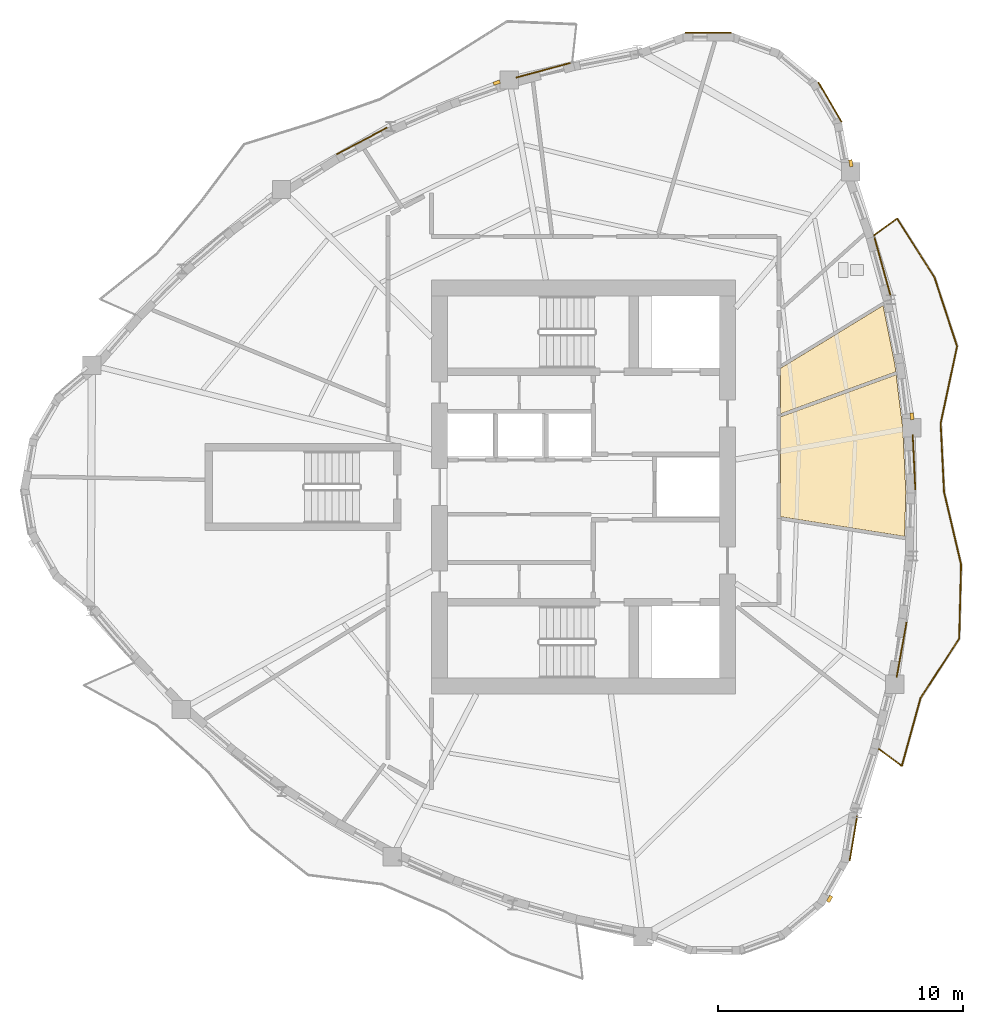
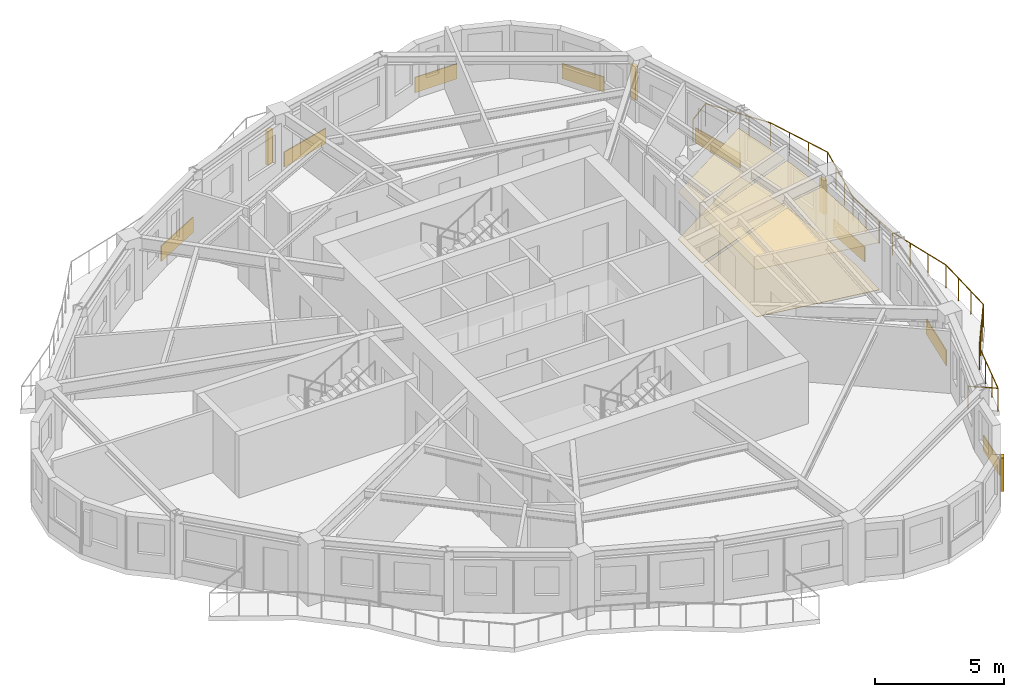
# One storey, part 11 of 12: 12 coverings, 4 shading devices, 1 railing.
"""IFC4 building model written with IfcOpenShell, lengths in metres."""

from ifc_helpers import new_model, si_unit, direction, frame, origin, origin_2d, place, context, subcontext, project, spatial, polyline, rectangle, circle, outline, extrude, source, transform, mapped, material, layer, layer_set, type_object, element, save


model = new_model("IFC4")

# Units and contexts
model_context = context("Model", 3, precision=1e-05, world=origin(), true_north=direction((0.0, 1.0)))
body_context = subcontext(model_context, "Body", "Model", "MODEL_VIEW")
ifc_project = project(units=[si_unit("LENGTHUNIT", "METRE"), si_unit("AREAUNIT", "SQUARE_METRE"), si_unit("VOLUMEUNIT", "CUBIC_METRE"), si_unit("PLANEANGLEUNIT", "RADIAN"), si_unit("MASSUNIT", "GRAM", prefix="KILO")], contexts=[model_context])

# Site, building, storey
site_placement = place(None, origin())
site = spatial("IfcSite", under=ifc_project, at=site_placement, CompositionType="ELEMENT")
building_placement = place(site_placement, origin())
building = spatial("IfcBuilding", under=site, at=building_placement, Name="Qafzar Sky-Pleat Residences", CompositionType="ELEMENT")
storey_placement = place(building_placement, frame((0.0, 0.0, 174.60009765625)))
storey = spatial("IfcBuildingStorey", under=building, at=storey_placement, Name="L52", CompositionType="ELEMENT", Elevation=174.60009765625)

# Coverings
ifc_material_1 = material(Name="Perforated acoustic gypsum board ceiling")
ifc_layer_1 = layer(ifc_material_1, 0.02001953125)
ifc_layer_set_1 = layer_set([ifc_layer_1], Name="Perforated acoustic gypsum board ceiling")
covering_type_1 = type_object("IfcCoveringType", Name="COV-CEIL-ACOUSTIC", PredefinedType="CEILING", material=ifc_layer_set_1)
covering_1_placement = place(storey_placement, frame((0.0, 0.0, 2.239990234375)))
element("IfcCovering", 1, at=covering_1_placement, inside=storey, type_object=covering_type_1, Name="L52 Co-Living Lounge Acoustic Ceiling", PredefinedType="CEILING", context=body_context, shape_type="SweptSolid", body=[
    extrude(outline(polyline([(43.374755859375, 28.387939453125), (43.498291015625, 25.801025390625), (43.44677734375, 23.98486328125), (38.389892578125, 24.786376953125), (38.389892578125, 28.863037109375), (43.103271484375, 30.578857421875), (43.374755859375, 28.387939453125)])), origin(), (0.0, 0.0, 1.0), 0.02001953125),
])
covering_2_placement = place(storey_placement, frame((0.0, 0.0, 2.239990234375)))
element("IfcCovering", 2, at=covering_2_placement, inside=storey, type_object=covering_type_1, Name="L52 Scholar Study Room Acoustic Ceiling", PredefinedType="CEILING", context=body_context, shape_type="SweptSolid", body=[
    extrude(outline(polyline([(43.054443359375, 30.973388671875), (43.088134765625, 30.701171875), (38.389892578125, 28.99072265625), (38.389892578125, 30.847412109375), (42.568359375, 33.4033203125), (43.054443359375, 30.973388671875)])), origin(), (0.0, 0.0, 1.0), 0.02001953125),
])
ifc_material_2 = material(Name="Honed porcelain and Riyadh stone tile flooring", Category="masonry")
ifc_layer_2 = layer(ifc_material_2, 0.02001953125)
ifc_layer_set_2 = layer_set([ifc_layer_2], Name="Honed porcelain and Riyadh stone tile flooring")
covering_type_2 = type_object("IfcCoveringType", Name="COV-FLR-PORCELAIN", PredefinedType="FLOORING", material=ifc_layer_set_2)
covering_3_placement = place(storey_placement, origin())
element("IfcCovering", 3, at=covering_3_placement, inside=storey, type_object=covering_type_2, Name="L52 Co-Living Lounge Honed Stone Flooring", PredefinedType="FLOORING", context=body_context, shape_type="SweptSolid", body=[
    extrude(outline(polyline([(43.374755859375, 28.387939453125), (43.498291015625, 25.801025390625), (43.44677734375, 23.98486328125), (38.389892578125, 24.786376953125), (38.389892578125, 28.863037109375), (43.103271484375, 30.578857421875), (43.374755859375, 28.387939453125)])), origin(), (0.0, 0.0, 1.0), 0.02001953125),
])
covering_4_placement = place(storey_placement, origin())
element("IfcCovering", 4, at=covering_4_placement, inside=storey, type_object=covering_type_2, Name="L52 Scholar Study Room Honed Stone Flooring", PredefinedType="FLOORING", context=body_context, shape_type="SweptSolid", body=[
    extrude(outline(polyline([(43.054443359375, 30.973388671875), (43.088134765625, 30.701171875), (38.389892578125, 28.99072265625), (38.389892578125, 30.847412109375), (42.568359375, 33.4033203125), (43.054443359375, 30.973388671875)])), origin(), (0.0, 0.0, 1.0), 0.02001953125),
])

# Shading devices
ifc_material_3 = material(Name="Honed Riyadh limestone solar fin", Category="masonry")
ifc_layer_3 = layer(ifc_material_3, 0.139892578125)
ifc_layer_set_3 = layer_set([ifc_layer_3], Name="Honed Riyadh limestone solar fin")
shading_device_type = type_object("IfcShadingDeviceType", Name="SHD-FIN-STONE", PredefinedType="SHUTTER", material=ifc_layer_set_3)
shared_shape_1 = source(origin(), body_context, "Body", "SweptSolid", [
    extrude(rectangle(XDim=0.139892578125, YDim=0.280029296875, at=origin_2d()), origin(), (0.0, 0.0, 1.0), 1.60009765625),
])
for number, where, z_axis, x_axis, name in (
    (5, (40.388916015625, 9.19091796875, 0.599853515625), (0.0, 0.0, 1.0), (0.86845497166, -0.495768052821, 0.0), "L52 Limestone Solar Fin 21"),
    (6, (43.75146484375, 28.885009765625, 0.599853515625), (0.0, 0.0, 1.0), (0.992418634541, 0.122903432891, 0.0), "L52 Limestone Solar Fin 29"),
    (7, (41.257568359375, 39.2099609375, 0.599853515625), (0.0, 0.0, 1.0), (0.983226064815, 0.182391078371, 0.0), "L52 Limestone Solar Fin 33"),
    (8, (26.802734375, 42.497314453125, 0.599853515625), (0.0, 0.0, 1.0), (-0.329581229918, 0.944127222829, 0.0), "L52 Limestone Solar Fin 41"),
):
    element("IfcShadingDevice", number, at=place(storey_placement, frame(where, z_axis=z_axis, x_axis=x_axis)), inside=storey, type_object=shading_device_type, Name=name, PredefinedType="SHUTTER", context=body_context, shape_type="MappedRepresentation", body=[
        mapped(shared_shape_1, transform((0.0, 0.0, 0.0), x_axis=(1.0, 0.0, 0.0), y_axis=(0.0, 1.0, 0.0), z_axis=(0.0, 0.0, 1.0), scale=1.0)),
    ])

# Coverings
ifc_material_4 = material(Name="Honed Riyadh Tuwaiq limestone cladding", Category="masonry")
ifc_layer_4 = layer(ifc_material_4, 0.044921875)
ifc_layer_set_4 = layer_set([ifc_layer_4], Name="Honed Riyadh Tuwaiq limestone cladding")
covering_type_3 = type_object("IfcCoveringType", Name="COV-CLAD-STONE", PredefinedType="CLADDING", material=ifc_layer_set_4)
shared_shape_2 = source(origin(), body_context, "Body", "SweptSolid", [
    extrude(rectangle(XDim=1.873046875, YDim=0.044921875, at=origin_2d()), origin(), (0.0, 0.0, 1.0), 0.719970703125),
])
for number, where, z_axis, x_axis, name in (
    (9, (40.402099609375, 41.70703125, 0.02001953125), (0.0, 0.0, 1.0), (-0.506303893958, 0.862355128101, 0.0), "L52 Riyadh Limestone Spandrel Cladding 34"),
    (10, (35.44287109375, 44.538330078125, 0.02001953125), (0.0, 0.0, 1.0), (-0.999997113828, -0.002402568631, 0.0), "L52 Riyadh Limestone Spandrel Cladding 37"),
):
    element("IfcCovering", number, at=place(storey_placement, frame(where, z_axis=z_axis, x_axis=x_axis)), inside=storey, type_object=covering_type_3, Name=name, PredefinedType="CLADDING", context=body_context, shape_type="MappedRepresentation", body=[
        mapped(shared_shape_2, transform((0.0, 0.0, 0.0), x_axis=(1.0, 0.0, 0.0), y_axis=(0.0, 1.0, 0.0), z_axis=(0.0, 0.0, 1.0), scale=1.0)),
    ])
shared_shape_3 = source(origin(), body_context, "Body", "SweptSolid", [
    extrude(rectangle(XDim=1.845703125, YDim=0.044921875, at=origin_2d()), origin(), (0.0, 0.0, 1.0), 0.719970703125),
])
covering_5_placement = place(storey_placement, frame((41.35888671875, 11.66650390625, 0.02001953125), z_axis=(0.0, 0.0, 1.0), x_axis=(0.165687701877, 0.98617827265, 0.0)))
element("IfcCovering", 11, at=covering_5_placement, inside=storey, type_object=covering_type_3, Name="L52 Riyadh Limestone Spandrel Cladding 22", PredefinedType="CLADDING", context=body_context, shape_type="MappedRepresentation", body=[
    mapped(shared_shape_3, transform((0.0, 0.0, 0.0), x_axis=(1.0, 0.0, 0.0), y_axis=(0.0, 1.0, 0.0), z_axis=(0.0, 0.0, 1.0), scale=1.0)),
])

# Railing
ifc_material_5 = material(Name="Laminated glass and bronze steel balustrade", Category="steel")
railing_type = type_object("IfcRailingType", Name="RAIL-BAL-1100", PredefinedType="BALUSTRADE", material=ifc_material_5)
shared_shape_4 = source(origin(), body_context, "Body", "SweptSolid", [
    extrude(circle(Radius=0.02392578125, at=origin_2d()), frame((0.0, 0.0, 1.076171875), z_axis=(0.802925231445, -0.596079753649, 0.0), x_axis=(0.596079753649, 0.802925231445, 0.0)), (0.0, 0.0, 1.0), 1.177978515625),
    extrude(circle(Radius=0.02392578125, at=origin_2d()), frame((0.94580078125, -0.7021484375, 1.076171875), z_axis=(0.265969828884, 0.963981353618, 0.0), x_axis=(-0.963981353618, 0.265969828884, 0.0)), (0.0, 0.0, 1.0), 2.8740234375),
    extrude(circle(Radius=0.02392578125, at=origin_2d()), frame((1.710205078125, 2.068359375, 1.076171875), z_axis=(0.544697870849, 0.838632356574, 0.0), x_axis=(-0.838632356574, 0.544697870849, 0.0)), (0.0, 0.0, 1.0), 2.8955078125),
    extrude(circle(Radius=0.02392578125, at=origin_2d()), frame((3.287353515625, 4.49658203125, 1.076171875), z_axis=(0.025504376596, 0.999674710481, 0.0), x_axis=(-0.999674710481, 0.025504376596, 0.0)), (0.0, 0.0, 1.0), 3.02490234375),
    extrude(circle(Radius=0.02392578125, at=origin_2d()), frame((3.364501953125, 7.5205078125, 1.076171875), z_axis=(-0.229344537844, 0.9733453051, 0.0), x_axis=(-0.9733453051, -0.229344537844, 0.0)), (0.0, 0.0, 1.0), 3.03173828125),
    extrude(circle(Radius=0.02392578125, at=origin_2d()), frame((2.669189453125, 10.471435546875, 1.076171875), z_axis=(-0.049197584938, 0.998789065637, 0.0), x_axis=(-0.998789065637, -0.049197584938, 0.0)), (0.0, 0.0, 1.0), 2.813720703125),
    extrude(circle(Radius=0.02392578125, at=origin_2d()), frame((2.53076171875, 13.28173828125, 1.076171875), z_axis=(0.208687917965, 0.977982286596, 0.0), x_axis=(-0.977982286596, 0.208687917965, 0.0)), (0.0, 0.0, 1.0), 3.21142578125),
    extrude(circle(Radius=0.02392578125, at=origin_2d()), frame((3.200927734375, 16.42236328125, 1.076171875), z_axis=(-0.311619076428, 0.950207109638, 0.0), x_axis=(-0.950207109638, -0.311619076428, 0.0)), (0.0, 0.0, 1.0), 2.958251953125),
    extrude(circle(Radius=0.02392578125, at=origin_2d()), frame((2.279052734375, 19.2333984375, 1.076171875), z_axis=(-0.537242125182, 0.843428063874, 0.0), x_axis=(-0.843428063874, -0.537242125182, 0.0)), (0.0, 0.0, 1.0), 2.843505859375),
    extrude(circle(Radius=0.02392578125, at=origin_2d()), frame((0.75146484375, 21.631591796875, 1.076171875), z_axis=(-0.810274660649, -0.586050317216, 0.0), x_axis=(0.586050317216, -0.810274660649, 0.0)), (0.0, 0.0, 1.0), 1.17822265625),
    extrude(circle(Radius=0.02099609375, at=origin_2d()), origin(), (0.0, 0.0, 1.0), 1.052001953125),
    extrude(circle(Radius=0.02099609375, at=origin_2d()), frame((0.94580078125, -0.7021484375, 0.0)), (0.0, 0.0, 1.0), 1.052001953125),
    extrude(circle(Radius=0.02099609375, at=origin_2d()), frame((1.20068359375, 0.221435546875, 0.0)), (0.0, 0.0, 1.0), 1.052001953125),
    extrude(circle(Radius=0.02099609375, at=origin_2d()), frame((1.455322265625, 1.144775390625, 0.0)), (0.0, 0.0, 1.0), 1.052001953125),
    extrude(circle(Radius=0.02099609375, at=origin_2d()), frame((1.710205078125, 2.068359375, 0.0)), (0.0, 0.0, 1.0), 1.052001953125),
    extrude(circle(Radius=0.02099609375, at=origin_2d()), frame((2.23583984375, 2.877685546875, 0.0)), (0.0, 0.0, 1.0), 1.052001953125),
    extrude(circle(Radius=0.02099609375, at=origin_2d()), frame((2.76171875, 3.687255859375, 0.0)), (0.0, 0.0, 1.0), 1.052001953125),
    extrude(circle(Radius=0.02099609375, at=origin_2d()), frame((3.287353515625, 4.49658203125, 0.0)), (0.0, 0.0, 1.0), 1.052001953125),
    extrude(circle(Radius=0.02099609375, at=origin_2d()), frame((3.31298828125, 5.504638671875, 0.0)), (0.0, 0.0, 1.0), 1.052001953125),
    extrude(circle(Radius=0.02099609375, at=origin_2d()), frame((3.3388671875, 6.512451171875, 0.0)), (0.0, 0.0, 1.0), 1.052001953125),
    extrude(circle(Radius=0.02099609375, at=origin_2d()), frame((3.364501953125, 7.5205078125, 0.0)), (0.0, 0.0, 1.0), 1.052001953125),
    extrude(circle(Radius=0.02099609375, at=origin_2d()), frame((3.1328125, 8.504150390625, 0.0)), (0.0, 0.0, 1.0), 1.052001953125),
    extrude(circle(Radius=0.02099609375, at=origin_2d()), frame((2.90087890625, 9.48779296875, 0.0)), (0.0, 0.0, 1.0), 1.052001953125),
    extrude(circle(Radius=0.02099609375, at=origin_2d()), frame((2.669189453125, 10.471435546875, 0.0)), (0.0, 0.0, 1.0), 1.052001953125),
    extrude(circle(Radius=0.02099609375, at=origin_2d()), frame((2.623046875, 11.408203125, 0.0)), (0.0, 0.0, 1.0), 1.052001953125),
    extrude(circle(Radius=0.02099609375, at=origin_2d()), frame((2.576904296875, 12.344970703125, 0.0)), (0.0, 0.0, 1.0), 1.052001953125),
    extrude(circle(Radius=0.02099609375, at=origin_2d()), frame((2.53076171875, 13.28173828125, 0.0)), (0.0, 0.0, 1.0), 1.052001953125),
    extrude(circle(Radius=0.02099609375, at=origin_2d()), frame((2.754150390625, 14.32861328125, 0.0)), (0.0, 0.0, 1.0), 1.052001953125),
    extrude(circle(Radius=0.02099609375, at=origin_2d()), frame((2.9775390625, 15.37548828125, 0.0)), (0.0, 0.0, 1.0), 1.052001953125),
    extrude(circle(Radius=0.02099609375, at=origin_2d()), frame((3.200927734375, 16.42236328125, 0.0)), (0.0, 0.0, 1.0), 1.052001953125),
    extrude(circle(Radius=0.02099609375, at=origin_2d()), frame((2.8935546875, 17.359375, 0.0)), (0.0, 0.0, 1.0), 1.052001953125),
    extrude(circle(Radius=0.02099609375, at=origin_2d()), frame((2.58642578125, 18.29638671875, 0.0)), (0.0, 0.0, 1.0), 1.052001953125),
    extrude(circle(Radius=0.02099609375, at=origin_2d()), frame((2.279052734375, 19.2333984375, 0.0)), (0.0, 0.0, 1.0), 1.052001953125),
    extrude(circle(Radius=0.02099609375, at=origin_2d()), frame((1.769775390625, 20.03271484375, 0.0)), (0.0, 0.0, 1.0), 1.052001953125),
    extrude(circle(Radius=0.02099609375, at=origin_2d()), frame((1.2607421875, 20.832275390625, 0.0)), (0.0, 0.0, 1.0), 1.052001953125),
    extrude(circle(Radius=0.02099609375, at=origin_2d()), frame((0.75146484375, 21.631591796875, 0.0)), (0.0, 0.0, 1.0), 1.052001953125),
    extrude(circle(Radius=0.02099609375, at=origin_2d()), frame((-0.203125, 20.941162109375, 0.0)), (0.0, 0.0, 1.0), 1.052001953125),
])
railing_placement = place(storey_placement, frame((42.38916015625, 15.318603515625, 0.0)))
element("IfcRailing", 12, at=railing_placement, inside=storey, type_object=railing_type, Name="L52 Pleated Balcony 1 Balustrade", PredefinedType="BALUSTRADE", context=body_context, shape_type="MappedRepresentation", body=[
    mapped(shared_shape_4, transform((0.0, 0.0, 0.0), x_axis=(1.0, 0.0, 0.0), y_axis=(0.0, 1.0, 0.0), z_axis=(0.0, 0.0, 1.0), scale=1.0)),
])

# Coverings
shared_shape_5 = source(origin(), body_context, "Body", "SweptSolid", [
    extrude(rectangle(XDim=2.2822265625, YDim=0.044921875, at=origin_2d()), origin(), (0.0, 0.0, 1.0), 0.719970703125),
])
covering_6_placement = place(storey_placement, frame((43.325439453125, 19.354736328125, 0.02001953125), z_axis=(0.0, 0.0, 1.0), x_axis=(0.177104868754, 0.98419198608, 0.0)))
element("IfcCovering", 13, at=covering_6_placement, inside=storey, type_object=covering_type_3, Name="L52 Riyadh Limestone Spandrel Cladding 25", PredefinedType="CLADDING", context=body_context, shape_type="MappedRepresentation", body=[
    mapped(shared_shape_5, transform((0.0, 0.0, 0.0), x_axis=(1.0, 0.0, 0.0), y_axis=(0.0, 1.0, 0.0), z_axis=(0.0, 0.0, 1.0), scale=1.0)),
])
shared_shape_6 = source(origin(), body_context, "Body", "SweptSolid", [
    extrude(rectangle(XDim=2.24169921875, YDim=0.044921875, at=origin_2d()), origin(), (0.0, 0.0, 1.0), 0.719970703125),
])
covering_7_placement = place(storey_placement, frame((43.832763671875, 27.01171875, 0.02001953125), z_axis=(0.0, 0.0, 1.0), x_axis=(-0.047692942752, 0.998862044134, 0.0)))
element("IfcCovering", 14, at=covering_7_placement, inside=storey, type_object=covering_type_3, Name="L52 Riyadh Limestone Spandrel Cladding 28", PredefinedType="CLADDING", context=body_context, shape_type="MappedRepresentation", body=[
    mapped(shared_shape_6, transform((0.0, 0.0, 0.0), x_axis=(1.0, 0.0, 0.0), y_axis=(0.0, 1.0, 0.0), z_axis=(0.0, 0.0, 1.0), scale=1.0)),
])
shared_shape_7 = source(origin(), body_context, "Body", "SweptSolid", [
    extrude(rectangle(XDim=2.452392578125, YDim=0.044921875, at=origin_2d()), origin(), (0.0, 0.0, 1.0), 0.719970703125),
])
covering_8_placement = place(storey_placement, frame((42.550537109375, 34.98193359375, 0.02001953125), z_axis=(0.0, 0.0, 1.0), x_axis=(-0.266422857024, 0.963856245119, 0.0)))
element("IfcCovering", 15, at=covering_8_placement, inside=storey, type_object=covering_type_3, Name="L52 Riyadh Limestone Spandrel Cladding 31", PredefinedType="CLADDING", context=body_context, shape_type="MappedRepresentation", body=[
    mapped(shared_shape_7, transform((0.0, 0.0, 0.0), x_axis=(1.0, 0.0, 0.0), y_axis=(0.0, 1.0, 0.0), z_axis=(0.0, 0.0, 1.0), scale=1.0)),
])
shared_shape_8 = source(origin(), body_context, "Body", "SweptSolid", [
    extrude(rectangle(XDim=2.281005859375, YDim=0.044921875, at=origin_2d()), origin(), (0.0, 0.0, 1.0), 0.719970703125),
])
covering_9_placement = place(storey_placement, frame((28.697021484375, 43.00341796875, 0.02001953125), z_axis=(0.0, 0.0, 1.0), x_axis=(-0.965452512794, -0.260579058139, 0.0)))
element("IfcCovering", 16, at=covering_9_placement, inside=storey, type_object=covering_type_3, Name="L52 Riyadh Limestone Spandrel Cladding 40", PredefinedType="CLADDING", context=body_context, shape_type="MappedRepresentation", body=[
    mapped(shared_shape_8, transform((0.0, 0.0, 0.0), x_axis=(1.0, 0.0, 0.0), y_axis=(0.0, 1.0, 0.0), z_axis=(0.0, 0.0, 1.0), scale=1.0)),
])
shared_shape_9 = source(origin(), body_context, "Body", "SweptSolid", [
    extrude(rectangle(XDim=2.33251953125, YDim=0.044921875, at=origin_2d()), origin(), (0.0, 0.0, 1.0), 0.719970703125),
])
covering_10_placement = place(storey_placement, frame((21.300537109375, 40.119384765625, 0.02001953125), z_axis=(0.0, 0.0, 1.0), x_axis=(-0.88438784981, -0.466752751582, 0.0)))
element("IfcCovering", 17, at=covering_10_placement, inside=storey, type_object=covering_type_3, Name="L52 Riyadh Limestone Spandrel Cladding 43", PredefinedType="CLADDING", context=body_context, shape_type="MappedRepresentation", body=[
    mapped(shared_shape_9, transform((0.0, 0.0, 0.0), x_axis=(1.0, 0.0, 0.0), y_axis=(0.0, 1.0, 0.0), z_axis=(0.0, 0.0, 1.0), scale=1.0)),
])

save(model, "model.ifc")
